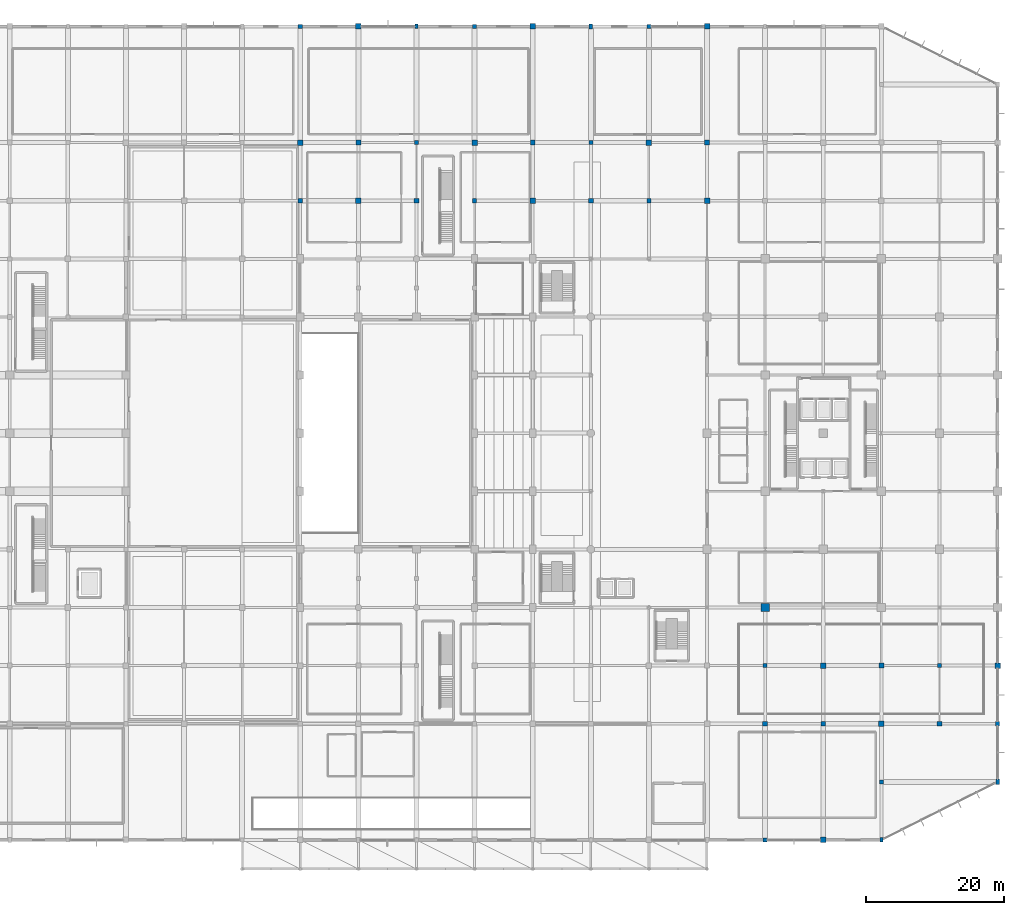
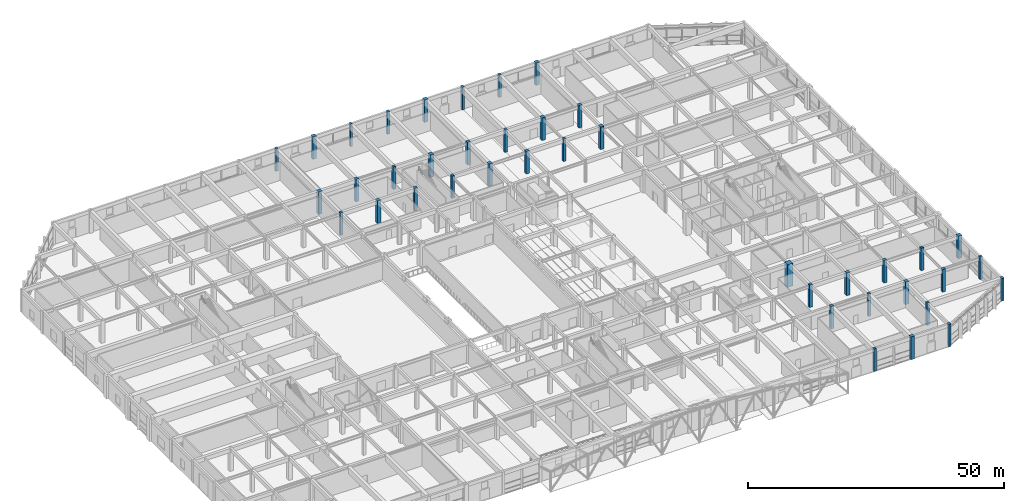
# One storey, part 5 of 62: 40 columns.
"""IFC4 building model written with IfcOpenShell, lengths in metres."""

from ifc_helpers import new_model, si_unit, direction, frame, origin, origin_2d, place, context, subcontext, project, spatial, rectangle, extrude, material, material_profile, profile_set, type_object, element, save


model = new_model("IFC4")

# Units and contexts
model_context = context("Model", 3, precision=1e-05, world=origin(), true_north=direction((0.0, 1.0)))
body_context = subcontext(model_context, "Body", "Model", "MODEL_VIEW")
ifc_project = project(units=[si_unit("LENGTHUNIT", "METRE"), si_unit("AREAUNIT", "SQUARE_METRE"), si_unit("VOLUMEUNIT", "CUBIC_METRE"), si_unit("PLANEANGLEUNIT", "RADIAN"), si_unit("MASSUNIT", "GRAM", prefix="KILO")], contexts=[model_context])

# Site, building, storey
site_placement = place(None, origin())
site = spatial("IfcSite", under=ifc_project, at=site_placement, CompositionType="ELEMENT")
building_placement = place(site_placement, origin())
building = spatial("IfcBuilding", under=site, at=building_placement, Name="Xuanlan Plaza Opera House", CompositionType="ELEMENT")
storey_placement = place(building_placement, origin())
storey = spatial("IfcBuildingStorey", under=building, at=storey_placement, Name="L00", CompositionType="ELEMENT", Elevation=0.0)

# Columns
ifc_material_1 = material(Name="Concrete C60", Category="concrete")
ifc_material_profile_1 = material_profile(ifc_material_1, rectangle(XDim=1.199951171875, YDim=1.199951171875, at=origin_2d()), Name="RC-COL 1200x1200")
ifc_profile_set_1 = profile_set([ifc_material_profile_1], Name="Concrete C60")
column_type_1 = type_object("IfcColumnType", Name="STR-COL-C-02", PredefinedType="COLUMN", material=ifc_profile_set_1)
column_placement = place(storey_placement, frame((134.39990234375, 33.60009765625, 0.0), z_axis=(0.0, 0.0, 1.0), x_axis=(1.0, 0.0, 0.0)))
element("IfcColumn", 1, at=column_placement, inside=storey, type_object=column_type_1, Name="Column L00 17-E", PredefinedType="COLUMN", context=body_context, shape_type="SweptSolid", body=[
    extrude(rectangle(XDim=1.199951171875, YDim=1.199951171875, at=origin_2d()), origin(), (0.0, 0.0, 1.0), 5.39990234375),
])
ifc_material_2 = material(Name="Concrete C40", Category="concrete")
ifc_material_profile_2 = material_profile(ifc_material_2, rectangle(XDim=0.800048828125, YDim=0.800048828125, at=origin_2d()), Name="RC-COL 800x800")
ifc_profile_set_2 = profile_set([ifc_material_profile_2], Name="Concrete C40")
column_type_2 = type_object("IfcColumnType", Name="STR-COL-C-06", PredefinedType="COLUMN", material=ifc_profile_set_2)
for number, where, z_axis, x_axis, name in (
    (2, (67.199951171875, 100.800048828125, 0.0), (0.0, 0.0, 1.0), (1.0, 0.0, 0.0), "Column L00 9-M"),
    (3, (75.60009765625, 92.39990234375, 0.0), (0.0, 0.0, 1.0), (1.0, 0.0, 0.0), "Column L00 10-L"),
    (4, (75.60009765625, 117.60009765625, 0.0), (0.0, 0.0, 1.0), (1.0, 0.0, 0.0), "Column L00 10-O"),
    (5, (92.39990234375, 100.800048828125, 0.0), (0.0, 0.0, 1.0), (1.0, 0.0, 0.0), "Column L00 12-M"),
    (6, (100.800048828125, 92.39990234375, 0.0), (0.0, 0.0, 1.0), (1.0, 0.0, 0.0), "Column L00 13-L"),
    (7, (100.800048828125, 117.60009765625, 0.0), (0.0, 0.0, 1.0), (1.0, 0.0, 0.0), "Column L00 13-O"),
    (8, (117.60009765625, 100.800048828125, 0.0), (0.0, 0.0, 1.0), (1.0, 0.0, 0.0), "Column L00 15-M"),
    (9, (126.0, 92.39990234375, 0.0), (0.0, 0.0, 1.0), (1.0, 0.0, 0.0), "Column L00 16-L"),
    (10, (126.0, 117.60009765625, 0.0), (0.0, 0.0, 1.0), (1.0, 0.0, 0.0), "Column L00 16-O"),
    (11, (142.800048828125, 0.0, 0.0), (0.0, 0.0, 1.0), (1.0, 0.0, 0.0), "Column L00 18-A"),
    (12, (142.800048828125, 25.199951171875, 0.0), (0.0, 0.0, 1.0), (1.0, 0.0, 0.0), "Column L00 18-D"),
    (13, (151.199951171875, 16.800048828125, 0.0), (0.0, 0.0, 1.0), (1.0, 0.0, 0.0), "Column L00 19-C"),
    (14, (168.0, 25.199951171875, 0.0), (0.0, 0.0, 1.0), (1.0, 0.0, 0.0), "Column L00 21-D"),
):
    element("IfcColumn", number, at=place(storey_placement, frame(where, z_axis=z_axis, x_axis=x_axis)), inside=storey, type_object=column_type_2, Name=name, PredefinedType="COLUMN", context=body_context, shape_type="SweptSolid", body=[
        extrude(rectangle(XDim=0.800048828125, YDim=0.800048828125, at=origin_2d()), origin(), (0.0, 0.0, 1.0), 5.39990234375),
    ])
ifc_material_profile_3 = material_profile(ifc_material_2, rectangle(XDim=0.699951171875, YDim=0.699951171875, at=origin_2d()), Name="RC-COL 700x700")
ifc_profile_set_3 = profile_set([ifc_material_profile_3], Name="Concrete C40")
column_type_3 = type_object("IfcColumnType", Name="STR-COL-C-07", PredefinedType="COLUMN", material=ifc_profile_set_3)
for number, where, z_axis, x_axis, name in (
    (15, (75.60009765625, 100.800048828125, 0.0), (0.0, 0.0, 1.0), (1.0, 0.0, 0.0), "Column L00 10-M"),
    (16, (84.0, 92.39990234375, 0.0), (0.0, 0.0, 1.0), (1.0, 0.0, 0.0), "Column L00 11-L"),
    (17, (100.800048828125, 100.800048828125, 0.0), (0.0, 0.0, 1.0), (1.0, 0.0, 0.0), "Column L00 13-M"),
    (18, (109.199951171875, 92.39990234375, 0.0), (0.0, 0.0, 1.0), (1.0, 0.0, 0.0), "Column L00 14-L"),
    (19, (126.0, 100.800048828125, 0.0), (0.0, 0.0, 1.0), (1.0, 0.0, 0.0), "Column L00 16-M"),
    (20, (134.39990234375, 16.800048828125, 0.0), (0.0, 0.0, 1.0), (1.0, 0.0, 0.0), "Column L00 17-C"),
    (21, (151.199951171875, 25.199951171875, 0.0), (0.0, 0.0, 1.0), (1.0, 0.0, 0.0), "Column L00 19-D"),
    (22, (159.60009765625, 16.800048828125, 0.0), (0.0, 0.0, 1.0), (1.0, 0.0, 0.0), "Column L00 20-C"),
):
    element("IfcColumn", number, at=place(storey_placement, frame(where, z_axis=z_axis, x_axis=x_axis)), inside=storey, type_object=column_type_3, Name=name, PredefinedType="COLUMN", context=body_context, shape_type="SweptSolid", body=[
        extrude(rectangle(XDim=0.699951171875, YDim=0.699951171875, at=origin_2d()), origin(), (0.0, 0.0, 1.0), 5.39990234375),
    ])
ifc_material_profile_4 = material_profile(ifc_material_2, rectangle(XDim=0.60009765625, YDim=0.60009765625, at=origin_2d()), Name="RC-COL 600x600")
ifc_profile_set_4 = profile_set([ifc_material_profile_4], Name="Concrete C40")
column_type_4 = type_object("IfcColumnType", Name="STR-COL-C-08", PredefinedType="COLUMN", material=ifc_profile_set_4)
for number, where, z_axis, x_axis, name in (
    (23, (67.199951171875, 92.39990234375, 0.0), (0.0, 0.0, 1.0), (1.0, 0.0, 0.0), "Column L00 9-L"),
    (24, (67.199951171875, 117.60009765625, 0.0), (0.0, 0.0, 1.0), (1.0, 0.0, 0.0), "Column L00 9-O"),
    (25, (84.0, 100.800048828125, 0.0), (0.0, 0.0, 1.0), (1.0, 0.0, 0.0), "Column L00 11-M"),
    (26, (92.39990234375, 92.39990234375, 0.0), (0.0, 0.0, 1.0), (1.0, 0.0, 0.0), "Column L00 12-L"),
    (27, (92.39990234375, 117.60009765625, 0.0), (0.0, 0.0, 1.0), (1.0, 0.0, 0.0), "Column L00 12-O"),
    (28, (109.199951171875, 100.800048828125, 0.0), (0.0, 0.0, 1.0), (1.0, 0.0, 0.0), "Column L00 14-M"),
    (29, (117.60009765625, 92.39990234375, 0.0), (0.0, 0.0, 1.0), (1.0, 0.0, 0.0), "Column L00 15-L"),
    (30, (117.60009765625, 117.60009765625, 0.0), (0.0, 0.0, 1.0), (1.0, 0.0, 0.0), "Column L00 15-O"),
    (31, (134.39990234375, 0.0, 0.0), (0.0, 0.0, 1.0), (1.0, 0.0, 0.0), "Column L00 17-A"),
    (32, (134.39990234375, 25.199951171875, 0.0), (0.0, 0.0, 1.0), (1.0, 0.0, 0.0), "Column L00 17-D"),
    (33, (142.800048828125, 16.800048828125, 0.0), (0.0, 0.0, 1.0), (1.0, 0.0, 0.0), "Column L00 18-C"),
    (34, (151.199951171875, 8.39990234375, 0.0), (0.0, 0.0, 1.0), (1.0, 0.0, 0.0), "Column L00 19-B"),
    (35, (159.60009765625, 25.199951171875, 0.0), (0.0, 0.0, 1.0), (1.0, 0.0, 0.0), "Column L00 20-D"),
    (36, (168.0, 16.800048828125, 0.0), (0.0, 0.0, 1.0), (1.0, 0.0, 0.0), "Column L00 21-C"),
):
    element("IfcColumn", number, at=place(storey_placement, frame(where, z_axis=z_axis, x_axis=x_axis)), inside=storey, type_object=column_type_4, Name=name, PredefinedType="COLUMN", context=body_context, shape_type="SweptSolid", body=[
        extrude(rectangle(XDim=0.60009765625, YDim=0.60009765625, at=origin_2d()), origin(), (0.0, 0.0, 1.0), 5.39990234375),
    ])
ifc_material_profile_5 = material_profile(ifc_material_2, rectangle(XDim=0.449951171875, YDim=0.64990234375, at=origin_2d()), Name="RC-PIL 450x650")
ifc_profile_set_5 = profile_set([ifc_material_profile_5], Name="Concrete C40")
column_type_5 = type_object("IfcColumnType", Name="STR-COL-PL-01", PredefinedType="PILASTER", material=ifc_profile_set_5)
for number, where, z_axis, x_axis, name in (
    (37, (84.0, 117.60009765625, 0.0), (0.0, 0.0, 1.0), (1.0, 0.0, 0.0), "Column L00 11-O"),
    (38, (151.199951171875, 0.0, 0.0), (0.0, 0.0, 1.0), (1.0, 0.0, 0.0), "Column L00 19-A"),
):
    element("IfcColumn", number, at=place(storey_placement, frame(where, z_axis=z_axis, x_axis=x_axis)), inside=storey, type_object=column_type_5, Name=name, PredefinedType="PILASTER", context=body_context, shape_type="SweptSolid", body=[
        extrude(rectangle(XDim=0.449951171875, YDim=0.64990234375, at=origin_2d()), origin(), (0.0, 0.0, 1.0), 5.39990234375),
    ])
ifc_material_profile_6 = material_profile(ifc_material_2, rectangle(XDim=0.5, YDim=0.75, at=origin_2d()), Name="RC-PIL 500x750")
ifc_profile_set_6 = profile_set([ifc_material_profile_6], Name="Concrete C40")
column_type_6 = type_object("IfcColumnType", Name="STR-COL-PL-02", PredefinedType="PILASTER", material=ifc_profile_set_6)
for number, where, z_axis, x_axis, name in (
    (39, (109.199951171875, 117.60009765625, 0.0), (0.0, 0.0, 1.0), (1.0, 0.0, 0.0), "Column L00 14-O"),
    (40, (168.0, 8.39990234375, 0.0), (0.0, 0.0, 1.0), (1.0, 0.0, 0.0), "Column L00 21-B"),
):
    element("IfcColumn", number, at=place(storey_placement, frame(where, z_axis=z_axis, x_axis=x_axis)), inside=storey, type_object=column_type_6, Name=name, PredefinedType="PILASTER", context=body_context, shape_type="SweptSolid", body=[
        extrude(rectangle(XDim=0.5, YDim=0.75, at=origin_2d()), origin(), (0.0, 0.0, 1.0), 5.39990234375),
    ])

save(model, "model.ifc")
